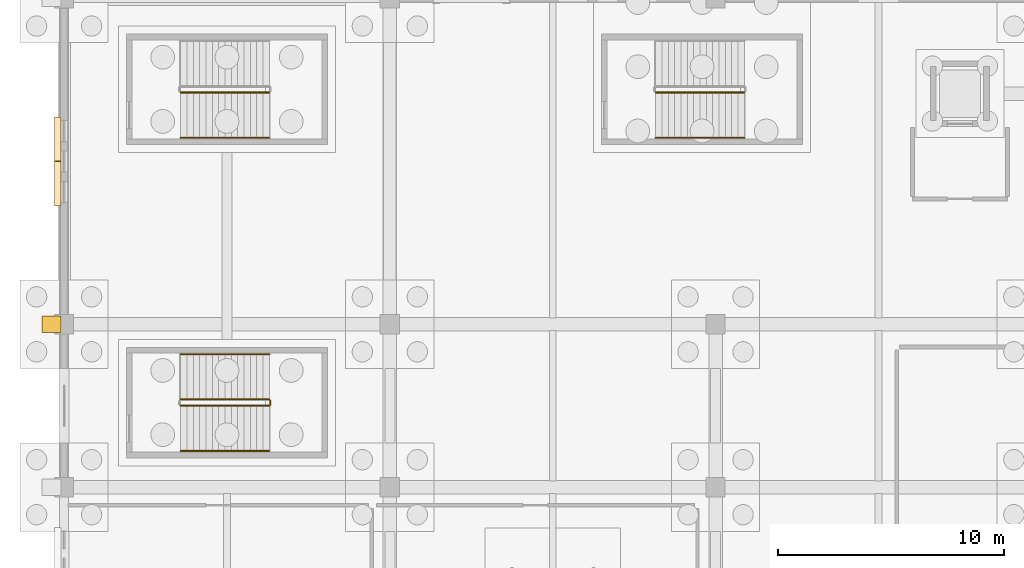
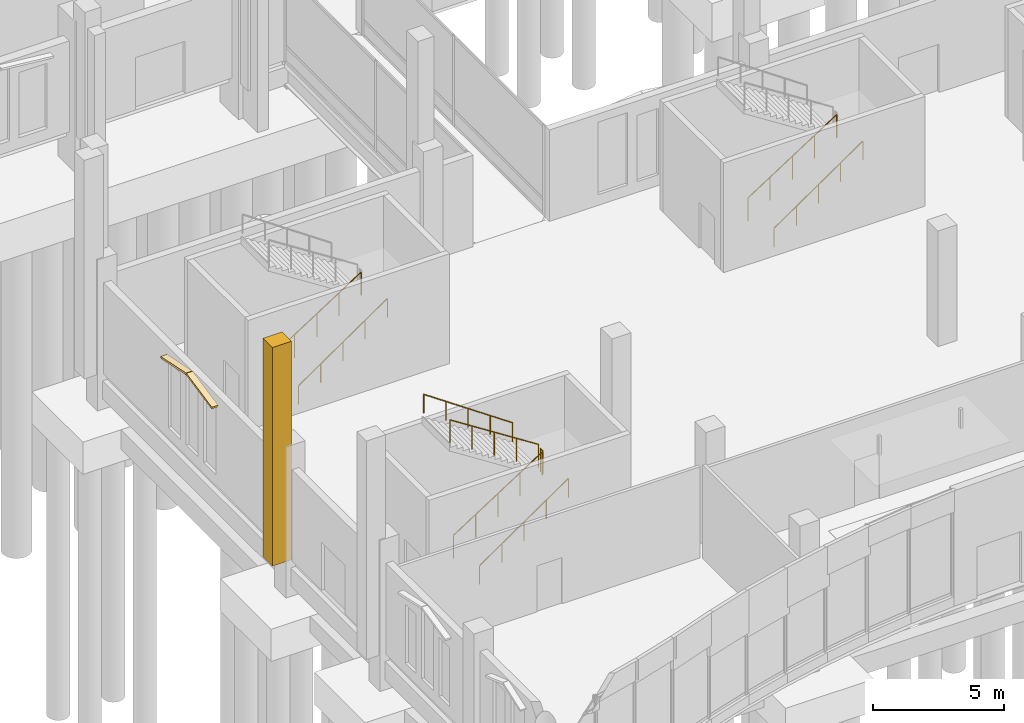
# One storey, part 171 of 192: 9 railings, 3 coverings.
"""IFC4 building model written with IfcOpenShell, lengths in metres."""

from ifc_helpers import new_model, si_unit, direction, frame, origin, origin_2d, place, context, subcontext, project, spatial, polyline, circle, outline, extrude, material, layer, layer_set, type_object, element, save


model = new_model("IFC4")

# Units and contexts
model_context = context("Model", 3, precision=1e-05, world=origin(), true_north=direction((0.0, 1.0)))
body_context = subcontext(model_context, "Body", "Model", "MODEL_VIEW")
ifc_project = project(units=[si_unit("LENGTHUNIT", "METRE"), si_unit("AREAUNIT", "SQUARE_METRE"), si_unit("VOLUMEUNIT", "CUBIC_METRE"), si_unit("PLANEANGLEUNIT", "RADIAN"), si_unit("MASSUNIT", "GRAM", prefix="KILO")], contexts=[model_context])

# Site, building, storey
site_placement = place(None, origin())
site = spatial("IfcSite", under=ifc_project, at=site_placement, CompositionType="ELEMENT")
building_placement = place(site_placement, origin())
building = spatial("IfcBuilding", under=site, at=building_placement, Name="Cendralis Lancet Convention Centre", CompositionType="ELEMENT")
storey_placement = place(building_placement, origin())
storey = spatial("IfcBuildingStorey", under=building, at=storey_placement, Name="L00", CompositionType="ELEMENT", Elevation=0.0)

# Coverings
ifc_material_1 = material(Name="Warm buff sandstone chevron cassette", Category="masonry")
ifc_layer = layer(ifc_material_1, 0.06005859375, Name="Warm buff sandstone chevron cassette")
ifc_layer_set = layer_set([ifc_layer], Name="Warm buff sandstone chevron cassette")
covering_type = type_object("IfcCoveringType", Name="ARC-CV-CLAD1", PredefinedType="CLADDING", material=ifc_layer_set)
for number, where, z_axis, x_axis, name in (
    (1, (-0.419921875, 26.840087890625, 3.820068359375), (0.0, -0.203371675241, 0.979101609492), (1.0, 0.0, 0.0), "L00 Gothic Pointed Lancet Hood-Mould #0235L"),
    (2, (-0.419921875, 28.81005859375, 4.22509765625), (0.0, 0.203371675241, 0.979101609492), (1.0, 0.0, 0.0), "L00 Gothic Pointed Lancet Hood-Mould #0236R"),
):
    element("IfcCovering", number, at=place(storey_placement, frame(where, z_axis=z_axis, x_axis=x_axis)), inside=storey, type_object=covering_type, Name=name, PredefinedType="CLADDING", context=body_context, shape_type="SweptSolid", body=[
        extrude(outline(polyline([(0.0, 0.0), (0.284912109375, 0.0), (0.284912109375, 1.991571817440622), (0.0, 1.991571817440622), (0.0, 0.0)])), origin(), (0.0, 0.0, -1.0), 0.090087890625),
    ])
covering_placement = place(storey_placement, origin())
element("IfcCovering", 3, at=covering_placement, inside=storey, type_object=covering_type, Name="Gothic Stepped Stone Buttress Base #0078", PredefinedType="CLADDING", context=body_context, shape_type="SweptSolid", body=[
    extrude(outline(polyline([(-0.97998046875, 21.9599609375), (-0.97998046875, 21.239990234375), (-0.1298828125, 21.239990234375), (-0.1298828125, 21.9599609375), (-0.97998046875, 21.9599609375)])), origin(), (0.0, 0.0, 1.0), 10.199951171875),
])

# Railings
ifc_material_2 = material(Name="Steel S355", Category="steel")
railing_type_1 = type_object("IfcRailingType", Name="ARC-RL-CGD", PredefinedType="GUARDRAIL", material=ifc_material_2)
for number, where, name in (
    (4, (26.14990234375, 31.85009765625, 0.179931640625), "L00 ST-11 stair guard 1"),
    (5, (5.14990234375, 18.0, 0.179931640625), "L00 ST-17 stair guard 1"),
):
    element("IfcRailing", number, at=place(storey_placement, frame(where)), inside=storey, type_object=railing_type_1, Name=name, PredefinedType="GUARDRAIL", context=body_context, shape_type="SweptSolid", body=[
        extrude(circle(Radius=0.02392578125, at=origin_2d()), frame((0.0, 0.0, 1.076171875), z_axis=(0.841186985886, 0.0, 0.540744352514), x_axis=(0.0, 1.0, 0.0)), (0.0, 0.0, 1.0), 4.660400390625),
        extrude(circle(Radius=0.02099609375, at=origin_2d()), origin(), (0.0, 0.0, 1.0), 1.052001953125),
        extrude(circle(Radius=0.02099609375, at=origin_2d()), frame((0.97998046875, 0.0, 0.6298828125)), (0.0, 0.0, 1.0), 1.052001953125),
        extrude(circle(Radius=0.02099609375, at=origin_2d()), frame((1.9599609375, 0.0, 1.260009765625)), (0.0, 0.0, 1.0), 1.052001953125),
        extrude(circle(Radius=0.02099609375, at=origin_2d()), frame((2.940185546875, 0.0, 1.89013671875)), (0.0, 0.0, 1.0), 1.052001953125),
        extrude(circle(Radius=0.02099609375, at=origin_2d()), frame((3.920166015625, 0.0, 2.52001953125)), (0.0, 0.0, 1.0), 1.052001953125),
    ])
railing_1_placement = place(storey_placement, frame((9.1201171875, 18.050048828125, 2.699951171875)))
element("IfcRailing", 6, at=railing_1_placement, inside=storey, type_object=railing_type_1, Name="L00 ST-17 stair guard 2", PredefinedType="GUARDRAIL", context=body_context, shape_type="SweptSolid", body=[
    extrude(circle(Radius=0.02392578125, at=origin_2d()), frame((0.0, 0.0, 1.076171875), z_axis=(0.0, 1.0, 0.0), x_axis=(-1.0, 0.0, 0.0)), (0.0, 0.0, 1.0), 0.179931640625),
    extrude(circle(Radius=0.02099609375, at=origin_2d()), origin(), (0.0, 0.0, 1.0), 1.052001953125),
    extrude(circle(Radius=0.02099609375, at=origin_2d()), frame((0.0, 0.179931640625, 0.0)), (0.0, 0.0, 1.0), 1.052001953125),
])
railing_2_placement = place(storey_placement, frame((9.070068359375, 18.280029296875, 2.8798828125)))
element("IfcRailing", 7, at=railing_2_placement, inside=storey, type_object=railing_type_1, Name="L00 ST-17 stair guard 3", PredefinedType="GUARDRAIL", context=body_context, shape_type="SweptSolid", body=[
    extrude(circle(Radius=0.02392578125, at=origin_2d()), frame((0.0, 0.0, 1.076171875), z_axis=(-0.841186985886, 0.0, 0.540744352514), x_axis=(0.0, -1.0, 0.0)), (0.0, 0.0, 1.0), 4.660400390625),
    extrude(circle(Radius=0.02099609375, at=origin_2d()), origin(), (0.0, 0.0, 1.0), 1.052001953125),
    extrude(circle(Radius=0.02099609375, at=origin_2d()), frame((-0.97998046875, 0.0, 0.6298828125)), (0.0, 0.0, 1.0), 1.052001953125),
    extrude(circle(Radius=0.02099609375, at=origin_2d()), frame((-1.9599609375, 0.0, 1.260009765625)), (0.0, 0.0, 1.0), 1.052001953125),
    extrude(circle(Radius=0.02099609375, at=origin_2d()), frame((-2.940185546875, 0.0, 1.89013671875)), (0.0, 0.0, 1.0), 1.052001953125),
    extrude(circle(Radius=0.02099609375, at=origin_2d()), frame((-3.920166015625, 0.0, 2.52001953125)), (0.0, 0.0, 1.0), 1.052001953125),
])
railing_3_placement = place(storey_placement, frame((5.14990234375, 31.85009765625, 0.179931640625)))
element("IfcRailing", 8, at=railing_3_placement, inside=storey, type_object=railing_type_1, Name="L00 ST-20 stair guard 1", PredefinedType="GUARDRAIL", context=body_context, shape_type="SweptSolid", body=[
    extrude(circle(Radius=0.02392578125, at=origin_2d()), frame((0.0, 0.0, 1.076171875), z_axis=(0.841186985886, 0.0, 0.540744352514), x_axis=(0.0, 1.0, 0.0)), (0.0, 0.0, 1.0), 4.660400390625),
    extrude(circle(Radius=0.02099609375, at=origin_2d()), origin(), (0.0, 0.0, 1.0), 1.052001953125),
    extrude(circle(Radius=0.02099609375, at=origin_2d()), frame((0.97998046875, 0.0, 0.6298828125)), (0.0, 0.0, 1.0), 1.052001953125),
    extrude(circle(Radius=0.02099609375, at=origin_2d()), frame((1.9599609375, 0.0, 1.260009765625)), (0.0, 0.0, 1.0), 1.052001953125),
    extrude(circle(Radius=0.02099609375, at=origin_2d()), frame((2.940185546875, 0.0, 1.89013671875)), (0.0, 0.0, 1.0), 1.052001953125),
    extrude(circle(Radius=0.02099609375, at=origin_2d()), frame((3.920166015625, 0.0, 2.52001953125)), (0.0, 0.0, 1.0), 1.052001953125),
])
railing_type_2 = type_object("IfcRailingType", Name="ARC-RL-CHR", PredefinedType="HANDRAIL", material=ifc_material_2)
for number, where, name in (
    (9, (26.14990234375, 29.85009765625, 0.179931640625), "L00 ST-11 stair handrail 1"),
    (10, (5.14990234375, 16.0, 0.179931640625), "L00 ST-17 stair handrail 1"),
):
    element("IfcRailing", number, at=place(storey_placement, frame(where)), inside=storey, type_object=railing_type_2, Name=name, PredefinedType="HANDRAIL", context=body_context, shape_type="SweptSolid", body=[
        extrude(circle(Radius=0.02392578125, at=origin_2d()), frame((0.0, 0.0, 0.8759765625), z_axis=(0.823567234665, 0.0, 0.567218661528), x_axis=(0.0, 1.0, 0.0)), (0.0, 0.0, 1.0), 4.760009765625),
        extrude(circle(Radius=0.02099609375, at=origin_2d()), origin(), (0.0, 0.0, 1.0), 0.851806640625),
        extrude(circle(Radius=0.02099609375, at=origin_2d()), frame((0.97998046875, 0.0, 0.675048828125)), (0.0, 0.0, 1.0), 0.851806640625),
        extrude(circle(Radius=0.02099609375, at=origin_2d()), frame((1.9599609375, 0.0, 1.35009765625)), (0.0, 0.0, 1.0), 0.851806640625),
        extrude(circle(Radius=0.02099609375, at=origin_2d()), frame((2.940185546875, 0.0, 2.02490234375)), (0.0, 0.0, 1.0), 0.851806640625),
        extrude(circle(Radius=0.02099609375, at=origin_2d()), frame((3.920166015625, 0.0, 2.699951171875)), (0.0, 0.0, 1.0), 0.851806640625),
    ])
railing_4_placement = place(storey_placement, frame((9.070068359375, 20.280029296875, 2.8798828125)))
element("IfcRailing", 11, at=railing_4_placement, inside=storey, type_object=railing_type_2, Name="L00 ST-17 stair handrail 2", PredefinedType="HANDRAIL", context=body_context, shape_type="SweptSolid", body=[
    extrude(circle(Radius=0.02392578125, at=origin_2d()), frame((0.0, 0.0, 0.8759765625), z_axis=(-0.82354327477, 0.0, 0.567253448276), x_axis=(0.0, -1.0, 0.0)), (0.0, 0.0, 1.0), 4.760009765625),
    extrude(circle(Radius=0.02099609375, at=origin_2d()), origin(), (0.0, 0.0, 1.0), 0.851806640625),
    extrude(circle(Radius=0.02099609375, at=origin_2d()), frame((-0.97998046875, 0.0, 0.675048828125)), (0.0, 0.0, 1.0), 0.851806640625),
    extrude(circle(Radius=0.02099609375, at=origin_2d()), frame((-1.9599609375, 0.0, 1.35009765625)), (0.0, 0.0, 1.0), 0.851806640625),
    extrude(circle(Radius=0.02099609375, at=origin_2d()), frame((-2.940185546875, 0.0, 2.025146484375)), (0.0, 0.0, 1.0), 0.851806640625),
    extrude(circle(Radius=0.02099609375, at=origin_2d()), frame((-3.920166015625, 0.0, 2.7001953125)), (0.0, 0.0, 1.0), 0.851806640625),
])
railing_5_placement = place(storey_placement, frame((5.14990234375, 29.85009765625, 0.179931640625)))
element("IfcRailing", 12, at=railing_5_placement, inside=storey, type_object=railing_type_2, Name="L00 ST-20 stair handrail 1", PredefinedType="HANDRAIL", context=body_context, shape_type="SweptSolid", body=[
    extrude(circle(Radius=0.02392578125, at=origin_2d()), frame((0.0, 0.0, 0.8759765625), z_axis=(0.823567234665, 0.0, 0.567218661528), x_axis=(0.0, 1.0, 0.0)), (0.0, 0.0, 1.0), 4.760009765625),
    extrude(circle(Radius=0.02099609375, at=origin_2d()), origin(), (0.0, 0.0, 1.0), 0.851806640625),
    extrude(circle(Radius=0.02099609375, at=origin_2d()), frame((0.97998046875, 0.0, 0.675048828125)), (0.0, 0.0, 1.0), 0.851806640625),
    extrude(circle(Radius=0.02099609375, at=origin_2d()), frame((1.9599609375, 0.0, 1.35009765625)), (0.0, 0.0, 1.0), 0.851806640625),
    extrude(circle(Radius=0.02099609375, at=origin_2d()), frame((2.940185546875, 0.0, 2.02490234375)), (0.0, 0.0, 1.0), 0.851806640625),
    extrude(circle(Radius=0.02099609375, at=origin_2d()), frame((3.920166015625, 0.0, 2.699951171875)), (0.0, 0.0, 1.0), 0.851806640625),
])

save(model, "model.ifc")
